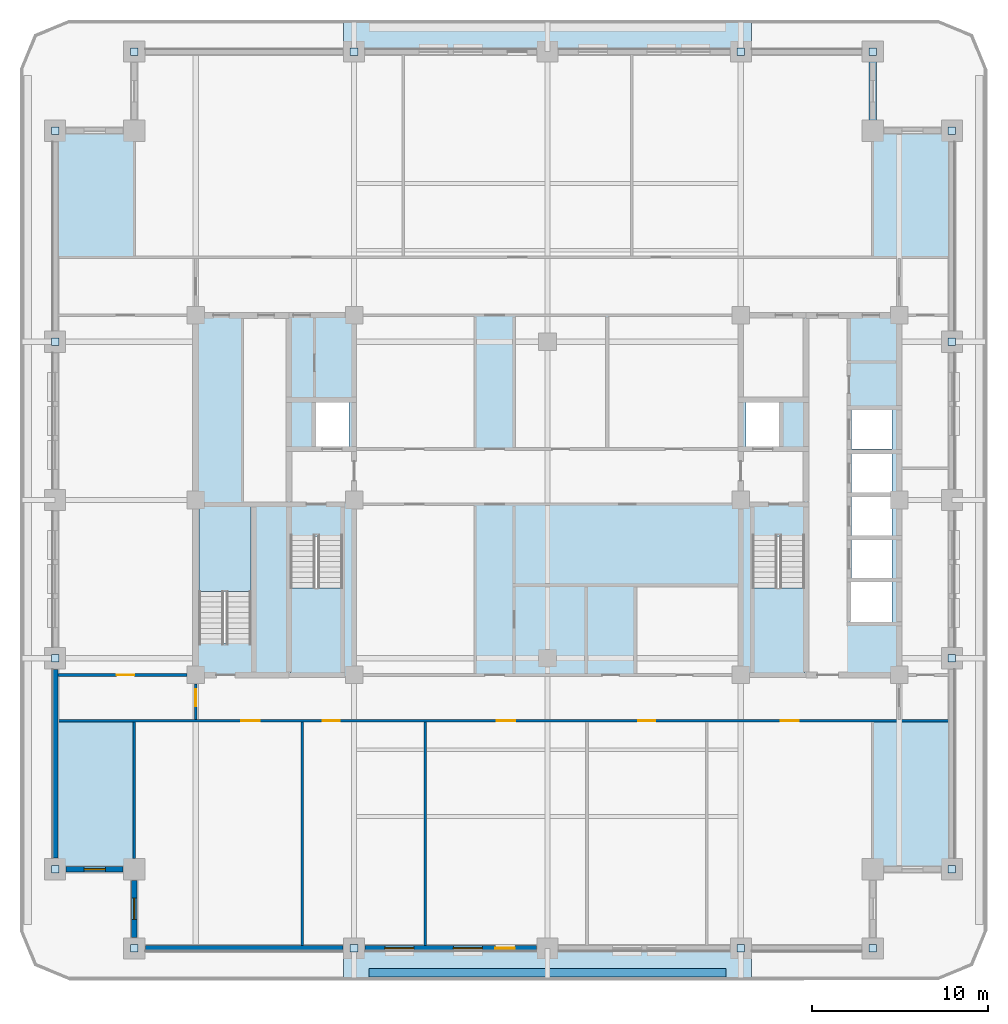
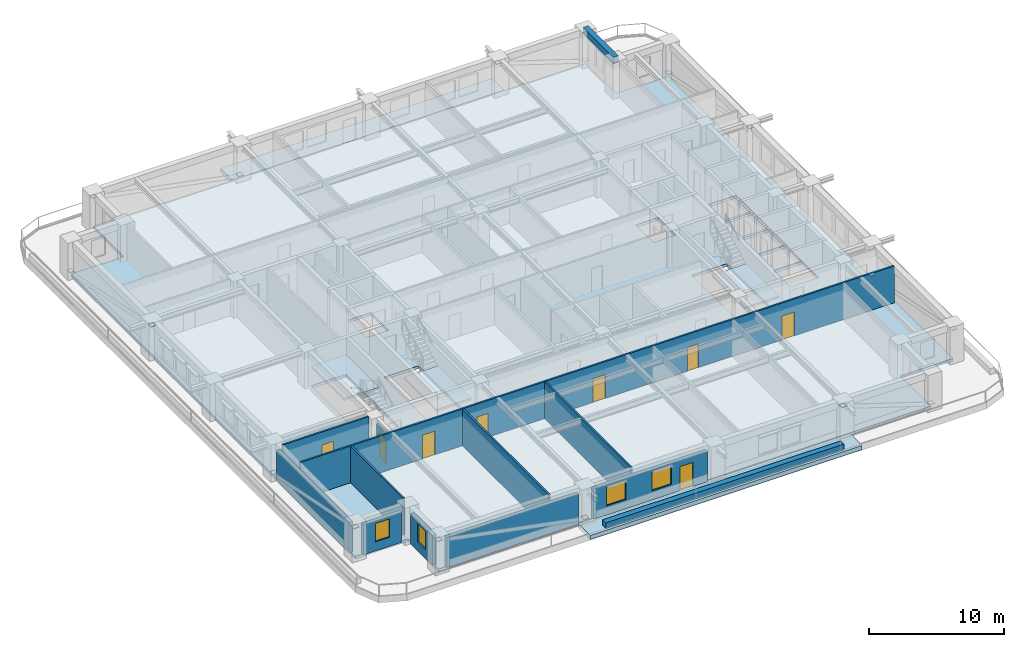
# One storey, part 2 of 16: 16 plates, 12 walls, 8 doors, 6 slabs, 4 windows, 1 beam, 12 openings, 3 elements without a shape of their own.
"""IFC4 building model written with IfcOpenShell, lengths in metres."""

import ifcopenshell
import ifcopenshell.guid

model = None  # the IFC model being written
_history = None  # IfcOwnerHistory: only IFC2X3 demands one
_inside = {}  # id of a spatial element -> (the spatial element, [elements in it])
_under = {}  # id of a project, library or spatial element -> (it, [spatial elements below it])
_declared = {}  # id of a project -> (the project, [libraries it declares])
_typed = {}  # id of a type object -> (the type object, [elements of that type])
_made_of = {}  # id of a material, layer set ... -> (it, [elements and type objects made of it])


def new_model(schema):
    """Start an empty IFC model of exactly this schema.

    Asked for "IFC4X3", IfcOpenShell would pick the latest addendum, in which some entities
    have other attributes; the version numbers below select the first issue.
    IFC2X3 requires an IfcOwnerHistory on every rooted entity: one is made here for all.
    """
    global model, _history
    if schema == "IFC4X3":
        model = ifcopenshell.file(schema_version=(4, 3, 0, 0))
    else:
        model = ifcopenshell.file(schema=schema)
    _inside.clear()
    _under.clear()
    _declared.clear()
    _typed.clear()
    _made_of.clear()
    _history = None
    if model.schema == "IFC2X3":
        org = make("IfcOrganization", Name="unknown")
        user = make(
            "IfcPersonAndOrganization",
            ThePerson=make("IfcPerson", FamilyName="unknown"),
            TheOrganization=org,
        )
        app = make(
            "IfcApplication",
            ApplicationDeveloper=org,
            Version="unknown",
            ApplicationFullName="unknown",
            ApplicationIdentifier="unknown",
        )
        _history = make(
            "IfcOwnerHistory",
            OwningUser=user,
            OwningApplication=app,
            ChangeAction="ADDED",
            CreationDate=0,
        )
    return model


def make(cls, **values):
    """One entity of the class cls with the attributes given. An attribute that is None is left unset."""
    return model.create_entity(
        cls, **{name: value for name, value in values.items() if value is not None}
    )


def rooted(cls, **values):
    """An entity with a GlobalId (a new one), such as an element, a storey or a relation."""
    return make(cls, GlobalId=ifcopenshell.guid.new(), OwnerHistory=_history, **values)


def si_unit(unit_type, name, prefix=None):
    """IfcSIUnit, for example si_unit("LENGTHUNIT", "METRE", prefix="MILLI")."""
    return make("IfcSIUnit", UnitType=unit_type, Prefix=prefix, Name=name)


def assignment(units):
    """IfcUnitAssignment: the units of a project."""
    return None if units is None else make("IfcUnitAssignment", Units=units)


def point(xyz):
    """IfcCartesianPoint."""
    return None if xyz is None else make("IfcCartesianPoint", Coordinates=xyz)


def direction(xyz):
    """IfcDirection."""
    return None if xyz is None else make("IfcDirection", DirectionRatios=xyz)


def frame(location, z_axis=None, x_axis=None):
    """IfcAxis2Placement3D, a coordinate frame: its origin and axes. An axis left out is left unset."""
    return make(
        "IfcAxis2Placement3D",
        Location=point(location),
        Axis=direction(z_axis),
        RefDirection=direction(x_axis),
    )


def frame_2d(location, x_axis=None):
    """IfcAxis2Placement2D, a coordinate frame in the plane: its origin and x axis."""
    return make(
        "IfcAxis2Placement2D", Location=point(location), RefDirection=direction(x_axis)
    )


def origin():
    """The frame at (0, 0, 0) with its axes left unset."""
    return frame((0.0, 0.0, 0.0))


def origin_2d():
    """The frame at (0, 0) in the plane with its x axis left unset."""
    return frame_2d((0.0, 0.0))


def place(relative_to, where):
    """IfcLocalPlacement: puts the frame where relative to a parent placement (None: the world)."""
    return make(
        "IfcLocalPlacement", PlacementRelTo=relative_to, RelativePlacement=where
    )


def context(
    kind, dimensions, precision=None, world=None, true_north=None, identifier=None
):
    """IfcGeometricRepresentationContext, for example the 3D "Model" context."""
    return make(
        "IfcGeometricRepresentationContext",
        ContextIdentifier=identifier,
        ContextType=kind,
        CoordinateSpaceDimension=dimensions,
        Precision=precision,
        WorldCoordinateSystem=world,
        TrueNorth=true_north,
    )


def subcontext(parent, identifier, kind, view, scale=None):
    """IfcGeometricRepresentationSubContext, for example "Body" below "Model"."""
    return make(
        "IfcGeometricRepresentationSubContext",
        ContextIdentifier=identifier,
        ContextType=kind,
        ParentContext=parent,
        TargetScale=scale,
        TargetView=view,
    )


def project(units=None, contexts=None):
    """IfcProject with its units and contexts."""
    return rooted(
        "IfcProject",
        Name="project",
        RepresentationContexts=contexts,
        UnitsInContext=assignment(units),
    )


def spatial(cls, under=None, at=None, **own):
    """A site, building, storey or space (cls), placed at a placement, below another one or the project."""
    s = rooted(cls, ObjectPlacement=at, **own)
    if under is not None:
        _under.setdefault(under.id(), (under, []))[1].append(s)
    return s


def polyline(points):
    """IfcPolyline through the points."""
    return make("IfcPolyline", Points=[point(p) for p in points])


def profile(cls, at=None, kind="AREA", **sizes):
    """A parametric profile (cls). Its sizes go by their IFC names, for example OverallWidth=200.0."""
    return make(cls, ProfileType=kind, Position=at, **sizes)


def rectangle(**sizes):
    """IfcRectangleProfileDef."""
    return profile("IfcRectangleProfileDef", **sizes)


def outline(outer, holes=None, kind="AREA"):
    """IfcArbitraryClosedProfileDef: a profile drawn as a closed curve; with holes, ...WithVoids."""
    if holes is None:
        return make("IfcArbitraryClosedProfileDef", ProfileType=kind, OuterCurve=outer)
    return make(
        "IfcArbitraryProfileDefWithVoids",
        ProfileType=kind,
        OuterCurve=outer,
        InnerCurves=holes,
    )


def extrude(swept, where, along, depth):
    """IfcExtrudedAreaSolid: the profile swept, set in the frame where, extruded along a direction by depth."""
    return make(
        "IfcExtrudedAreaSolid",
        SweptArea=swept,
        Position=where,
        ExtrudedDirection=direction(along),
        Depth=depth,
    )


def shape(context_of_items, identifier, shape_type, items):
    """IfcShapeRepresentation: the items that make up one representation, for example the "Body"."""
    return make(
        "IfcShapeRepresentation",
        ContextOfItems=context_of_items,
        RepresentationIdentifier=identifier,
        RepresentationType=shape_type,
        Items=items,
    )


def material(Name=None, Category=None):
    """IfcMaterial."""
    return make("IfcMaterial", Name=Name, Category=Category)


def layer(
    of_material, thickness, ventilated=None, Name=None, Category=None, Priority=None
):
    """IfcMaterialLayer: one layer of a wall or slab, of a material (None: an air gap)."""
    return make(
        "IfcMaterialLayer",
        Material=of_material,
        LayerThickness=thickness,
        IsVentilated=ventilated,
        Name=Name,
        Category=Category,
        Priority=Priority,
    )


def layer_set(layers, Name=None):
    """IfcMaterialLayerSet."""
    return make("IfcMaterialLayerSet", MaterialLayers=layers, LayerSetName=Name)


def material_profile(
    of_material, cross_section, Name=None, Category=None, Priority=None
):
    """IfcMaterialProfile: a cross section and its material."""
    return make(
        "IfcMaterialProfile",
        Name=Name,
        Material=of_material,
        Profile=cross_section,
        Priority=Priority,
        Category=Category,
    )


def profile_set(profiles, Name=None, composite=None):
    """IfcMaterialProfileSet."""
    return make(
        "IfcMaterialProfileSet",
        Name=Name,
        MaterialProfiles=profiles,
        CompositeProfile=composite,
    )


def made_of(thing, what):
    """Note that an element or type object is made of a material, layer set ...; save() writes the relation."""
    if what is not None:
        _made_of.setdefault(what.id(), (what, []))[1].append(thing)
    return thing


def type_object(cls, material=None, **own):
    """A type object (cls), such as IfcWallType, which elements share."""
    return made_of(rooted(cls, **own), material)


def element(
    cls,
    number,
    at=None,
    inside=None,
    cuts=None,
    type_object=None,
    material=None,
    context=None,
    identifier="Body",
    shape_type=None,
    held_by="IfcProductDefinitionShape",
    body=None,
    shapes=None,
    **own,
):
    """One element of the class cls, such as IfcWall. Its Tag is "e" and its number.

    at: its placement. inside: the storey or other place that contains it. cuts: it is an
    opening in that element (IfcRelVoidsElement). A single representation is given by context,
    identifier, shape_type and body (its items); several are given by shapes. held_by: the class
    of the entity that holds the representations. save() writes the other relations.
    """
    e = rooted(cls, Tag="e%d" % number, ObjectPlacement=at, **own)
    if body is not None:
        shapes = [shape(context, identifier, shape_type, body)]
    if shapes is not None:
        e.Representation = make(held_by, Representations=shapes)
    if inside is not None:
        _inside.setdefault(inside.id(), (inside, []))[1].append(e)
    if cuts is not None:
        rooted(
            "IfcRelVoidsElement", RelatingBuildingElement=cuts, RelatedOpeningElement=e
        )
    if type_object is not None:
        _typed.setdefault(type_object.id(), (type_object, []))[1].append(e)
    return made_of(e, material)


def fill(opening, filler):
    """IfcRelFillsElement: the door or window that sits in an opening."""
    return rooted(
        "IfcRelFillsElement",
        RelatingOpeningElement=opening,
        RelatedBuildingElement=filler,
    )


def aggregate(whole, parts):
    """IfcRelAggregates: a whole, such as a stair, and the parts it consists of."""
    return rooted("IfcRelAggregates", RelatingObject=whole, RelatedObjects=parts)


def save(model, path):
    """Write the relations noted so far, then the file.

    IfcRelAggregates (storeys below a building ...), IfcRelContainedInSpatialStructure (elements
    in a storey), IfcRelDefinesByType, IfcRelAssociatesMaterial and IfcRelDeclares: one each for
    every whole, place, type object, material and project.
    """
    for whole, parts in _under.values():
        aggregate(whole, parts)
    for where, things in _inside.values():
        rooted(
            "IfcRelContainedInSpatialStructure",
            RelatedElements=things,
            RelatingStructure=where,
        )
    for kind, things in _typed.values():
        rooted("IfcRelDefinesByType", RelatedObjects=things, RelatingType=kind)
    for what, things in _made_of.values():
        rooted("IfcRelAssociatesMaterial", RelatedObjects=things, RelatingMaterial=what)
    for by, libraries in _declared.values():
        rooted("IfcRelDeclares", RelatingContext=by, RelatedDefinitions=libraries)
    model.write(path)


model = new_model("IFC4")

# Units and contexts
model_context = context("Model", 3, precision=1e-05, world=origin(), true_north=direction((0.0, 1.0)))
body_context = subcontext(model_context, "Body", "Model", "MODEL_VIEW")
ifc_project = project(units=[si_unit("LENGTHUNIT", "METRE"), si_unit("AREAUNIT", "SQUARE_METRE"), si_unit("VOLUMEUNIT", "CUBIC_METRE"), si_unit("PLANEANGLEUNIT", "RADIAN"), si_unit("MASSUNIT", "GRAM", prefix="KILO")], contexts=[model_context])

# Site, building, storey
site_placement = place(None, origin())
site = spatial("IfcSite", under=ifc_project, at=site_placement, CompositionType="ELEMENT")
building_placement = place(site_placement, origin())
building = spatial("IfcBuilding", under=site, at=building_placement, Name="Zulmaris Gate Convention Tower", CompositionType="ELEMENT")
storey_placement = place(building_placement, frame((0.0, 0.0, 124.919921875)))
storey = spatial("IfcBuildingStorey", under=building, at=storey_placement, Name="L31", CompositionType="ELEMENT", Elevation=124.919921875)

# Beam
ifc_material_1 = material(Name="Precast concrete C50/60", Category="concrete")
ifc_material_profile = material_profile(ifc_material_1, rectangle(XDim=0.449951171875, YDim=0.60009765625, at=origin_2d()), Name="RC SPANDREL 450x600")
ifc_profile_set = profile_set([ifc_material_profile], Name="Precast concrete C50/60")
beam_type = type_object("IfcBeamType", Name="BM-SP450x600", PredefinedType="SPANDREL", material=ifc_profile_set)
beam_placement = place(storey_placement, frame((18.5, 21.0, 3.019775390625), z_axis=(0.0, 1.0, 0.0), x_axis=(-1.0, 0.0, 0.0)))
element("IfcBeam", 1, at=beam_placement, inside=storey, type_object=beam_type, Name="L31 Spandrel SP-L31-12", PredefinedType="SPANDREL", context=body_context, shape_type="SweptSolid", body=[
    extrude(rectangle(XDim=0.449951171875, YDim=0.60009765625, at=origin_2d()), origin(), (0.0, 0.0, 1.0), 4.5),
])

# Plates
ifc_material_2 = material(Name="Steel S460", Category="steel")
ifc_layer_1 = layer(ifc_material_2, 0.02490234375, Name="Steel S460")
ifc_layer_set_1 = layer_set([ifc_layer_1], Name="Steel S460")
plate_type = type_object("IfcPlateType", Name="NP-CAP-440", PredefinedType="USERDEFINED", material=ifc_layer_set_1)
for number, where, z_axis, x_axis, name in (
    (2, (-28.0, -9.0, 0.28759765625), (0.0, 0.0, 1.0), (1.0, 0.0, 0.0), "L31 Steel Node Plate PBR-L31-SW-W-CAP"),
    (3, (-28.0, -21.0, 2.687255859375), (0.0, 0.0, 1.0), (1.0, 0.0, 0.0), "L31 Steel Node Plate PBR-L31-SW-W-CAPB"),
    (4, (-28.0, 21.0, 0.28759765625), (0.0, 0.0, 1.0), (1.0, 0.0, 0.0), "L31 Steel Node Plate PBR-L31-NW-W-CAP"),
    (5, (-28.0, 9.0, 2.687255859375), (0.0, 0.0, 1.0), (1.0, 0.0, 0.0), "L31 Steel Node Plate PBR-L31-NW-W-CAPB"),
    (6, (23.0, -9.0, 0.28759765625), (0.0, 0.0, 1.0), (1.0, 0.0, 0.0), "L31 Steel Node Plate PBR-L31-SE-E-CAP"),
    (7, (23.0, -21.0, 2.687255859375), (0.0, 0.0, 1.0), (1.0, 0.0, 0.0), "L31 Steel Node Plate PBR-L31-SE-E-CAPB"),
    (8, (23.0, 21.0, 0.28759765625), (0.0, 0.0, 1.0), (1.0, 0.0, 0.0), "L31 Steel Node Plate PBR-L31-NE-E-CAP"),
    (9, (23.0, 9.0, 2.687255859375), (0.0, 0.0, 1.0), (1.0, 0.0, 0.0), "L31 Steel Node Plate PBR-L31-NE-E-CAPB"),
    (10, (-11.0, -25.5, 0.28759765625), (0.0, 0.0, 1.0), (1.0, 0.0, 0.0), "L31 Steel Node Plate PBR-L31-SW-S-CAP"),
    (11, (-23.5, -25.5, 2.687255859375), (0.0, 0.0, 1.0), (1.0, 0.0, 0.0), "L31 Steel Node Plate PBR-L31-SW-S-CAPB"),
    (12, (18.5, -25.5, 0.28759765625), (0.0, 0.0, 1.0), (1.0, 0.0, 0.0), "L31 Steel Node Plate PBR-L31-SE-S-CAP"),
    (13, (11.0, -25.5, 2.687255859375), (0.0, 0.0, 1.0), (1.0, 0.0, 0.0), "L31 Steel Node Plate PBR-L31-SE-S-CAPB"),
    (14, (-11.0, 25.5, 0.28759765625), (0.0, 0.0, 1.0), (1.0, 0.0, 0.0), "L31 Steel Node Plate PBR-L31-NW-N-CAP"),
    (15, (-23.5, 25.5, 2.687255859375), (0.0, 0.0, 1.0), (1.0, 0.0, 0.0), "L31 Steel Node Plate PBR-L31-NW-N-CAPB"),
    (16, (18.5, 25.5, 0.28759765625), (0.0, 0.0, 1.0), (1.0, 0.0, 0.0), "L31 Steel Node Plate PBR-L31-NE-N-CAP"),
    (17, (11.0, 25.5, 2.687255859375), (0.0, 0.0, 1.0), (1.0, 0.0, 0.0), "L31 Steel Node Plate PBR-L31-NE-N-CAPB"),
):
    element("IfcPlate", number, at=place(storey_placement, frame(where, z_axis=z_axis, x_axis=x_axis)), inside=storey, type_object=plate_type, Name=name, ObjectType="FLANGE PLATE", PredefinedType="USERDEFINED", context=body_context, shape_type="SweptSolid", body=[
        extrude(rectangle(XDim=0.43994140625, YDim=0.43994140625, at=origin_2d()), origin(), (0.0, 0.0, 1.0), 0.02490234375),
    ])

# Slabs
ifc_layer_2 = layer(ifc_material_1, 0.239990234375, Name="Precast concrete C50/60")
ifc_layer_set_2 = layer_set([ifc_layer_2], Name="Precast concrete C50/60")
slab_type_1 = type_object("IfcSlabType", Name="SL-BAL-240", PredefinedType="FLOOR", material=ifc_layer_set_2)
slab_1_placement = place(storey_placement, frame((0.0, 0.0, -0.425048828125)))
element("IfcSlab", 18, at=slab_1_placement, inside=storey, type_object=slab_type_1, Name="L31 South Tree-Balcony Planter Slab", PredefinedType="FLOOR", context=body_context, shape_type="SweptSolid", body=[
    extrude(outline(polyline([(-11.597900390625, -27.300048828125), (-11.597900390625, -25.5), (11.597900390625, -25.5), (11.597900390625, -27.300048828125), (-11.597900390625, -27.300048828125)])), origin(), (0.0, 0.0, 1.0), 0.385009765625),
])
slab_2_placement = place(storey_placement, frame((0.0, 0.0, -0.425048828125)))
element("IfcSlab", 19, at=slab_2_placement, inside=storey, type_object=slab_type_1, Name="L31 North Tree-Balcony Planter Slab", PredefinedType="FLOOR", context=body_context, shape_type="SweptSolid", body=[
    extrude(outline(polyline([(11.597900390625, 27.300048828125), (11.597900390625, 25.5), (-11.597900390625, 25.5), (-11.597900390625, 27.300048828125), (11.597900390625, 27.300048828125)])), origin(), (0.0, 0.0, 1.0), 0.385009765625),
])
ifc_material_3 = material(Name="Concrete C50/60", Category="concrete")
ifc_layer_3 = layer(ifc_material_3, 0.25, Name="Concrete C50/60")
ifc_layer_set_3 = layer_set([ifc_layer_3], Name="Concrete C50/60")
slab_type_2 = type_object("IfcSlabType", Name="SL-FLR-250", PredefinedType="FLOOR", material=ifc_layer_set_3)
slab_3_placement = place(storey_placement, frame((0.0, 0.0, -0.25)))
element("IfcSlab", 20, at=slab_3_placement, inside=storey, type_object=slab_type_2, Name="L31 Shifted Notched-Square Structural Floor Slab", PredefinedType="FLOOR", context=body_context, shape_type="SweptSolid", body=[
    extrude(outline(polyline([(-23.5, -25.5), (18.5, -25.5), (18.5, -21.0), (23.0, -21.0), (23.0, 21.0), (18.5, 21.0), (18.5, 25.5), (-23.5, 25.5), (-23.5, 21.0), (-28.0, 21.0), (-28.0, -21.0), (-23.5, -21.0), (-23.5, -25.5)]), holes=[polyline([(-14.6201171875, -2.080078125), (-14.6201171875, -9.85009765625), (-11.659912109375, -9.85009765625), (-11.659912109375, -2.080078125), (-14.6201171875, -2.080078125)]), polyline([(11.659912109375, -2.080078125), (11.659912109375, -9.85009765625), (14.6201171875, -9.85009765625), (14.6201171875, -2.080078125), (11.659912109375, -2.080078125)]), polyline([(-16.860107421875, -8.1201171875), (-16.860107421875, -0.35009765625), (-19.820068359375, -0.35009765625), (-19.820068359375, -8.1201171875), (-16.860107421875, -8.1201171875)]), polyline([(-13.199951171875, 3.0), (-11.300048828125, 3.0), (-11.300048828125, 5.60009765625), (-13.199951171875, 5.60009765625), (-13.199951171875, 3.0)]), polyline([(11.300048828125, 3.0), (13.199951171875, 3.0), (13.199951171875, 5.60009765625), (11.300048828125, 5.60009765625), (11.300048828125, 3.0)]), polyline([(17.199951171875, -7.0), (19.60009765625, -7.0), (19.60009765625, -4.60009765625), (17.199951171875, -4.60009765625), (17.199951171875, -7.0)]), polyline([(17.300048828125, -4.5), (19.60009765625, -4.5), (19.60009765625, -2.199951171875), (17.300048828125, -2.199951171875), (17.300048828125, -4.5)]), polyline([(17.300048828125, -2.10009765625), (19.60009765625, -2.10009765625), (19.60009765625, 0.199951171875), (17.300048828125, 0.199951171875), (17.300048828125, -2.10009765625)]), polyline([(17.300048828125, 0.39990234375), (19.60009765625, 0.39990234375), (19.60009765625, 2.699951171875), (17.300048828125, 2.699951171875), (17.300048828125, 0.39990234375)]), polyline([(17.300048828125, 2.89990234375), (19.60009765625, 2.89990234375), (19.60009765625, 5.199951171875), (17.300048828125, 5.199951171875), (17.300048828125, 2.89990234375)])]), origin(), (0.0, 0.0, 1.0), 0.25),
])

# Stair, slab
ifc_material_4 = material(Name="Concrete C45/55", Category="concrete")
stair_type = type_object("IfcStairType", Name="ST-CORE-DOGLEG", PredefinedType="HALF_TURN_STAIR", material=ifc_material_4)
stair_1_placement = place(storey_placement, origin())
stair_1 = element("IfcStair", 21, at=stair_1_placement, inside=storey, type_object=stair_type, Name="L31 Core Exit Stair ST-1", PredefinedType="HALF_TURN_STAIR")
ifc_layer_4 = layer(ifc_material_4, 0.199951171875, Name="Concrete C45/55")
ifc_layer_set_4 = layer_set([ifc_layer_4], Name="Concrete C45/55")
slab_type_3 = type_object("IfcSlabType", Name="SL-LND-200", PredefinedType="LANDING", material=ifc_layer_set_4)
slab_4_placement = place(storey_placement, frame((0.0, 0.0, 1.5849609375)))
slab_4 = element("IfcSlab", 22, at=slab_4_placement, type_object=slab_type_3, Name="ST-1 landing 1", PredefinedType="LANDING", context=body_context, shape_type="SweptSolid", body=[
    extrude(outline(polyline([(-14.6201171875, -5.0), (-14.6201171875, -9.85009765625), (-11.659912109375, -9.85009765625), (-11.659912109375, -5.0), (-14.6201171875, -5.0)])), origin(), (0.0, 0.0, 1.0), 0.199951171875),
])
aggregate(stair_1, [slab_4])

stair_2_placement = place(storey_placement, origin())
stair_2 = element("IfcStair", 23, at=stair_2_placement, inside=storey, type_object=stair_type, Name="L31 Core Exit Stair ST-2", PredefinedType="HALF_TURN_STAIR")
slab_5_placement = place(storey_placement, frame((0.0, 0.0, 1.5849609375)))
slab_5 = element("IfcSlab", 24, at=slab_5_placement, type_object=slab_type_3, Name="ST-2 landing 1", PredefinedType="LANDING", context=body_context, shape_type="SweptSolid", body=[
    extrude(outline(polyline([(11.659912109375, -5.0), (11.659912109375, -9.85009765625), (14.6201171875, -9.85009765625), (14.6201171875, -5.0), (11.659912109375, -5.0)])), origin(), (0.0, 0.0, 1.0), 0.199951171875),
])
aggregate(stair_2, [slab_5])

stair_3_placement = place(storey_placement, origin())
stair_3 = element("IfcStair", 25, at=stair_3_placement, inside=storey, type_object=stair_type, Name="L31 Core Exit Stair ST-3", PredefinedType="HALF_TURN_STAIR")
slab_6_placement = place(storey_placement, frame((0.0, 0.0, 1.5849609375)))
slab_6 = element("IfcSlab", 26, at=slab_6_placement, type_object=slab_type_3, Name="ST-3 landing 1", PredefinedType="LANDING", context=body_context, shape_type="SweptSolid", body=[
    extrude(outline(polyline([(-16.860107421875, -5.199951171875), (-16.860107421875, -0.35009765625), (-19.820068359375, -0.35009765625), (-19.820068359375, -5.199951171875), (-16.860107421875, -5.199951171875)])), origin(), (0.0, 0.0, 1.0), 0.199951171875),
])
aggregate(stair_3, [slab_6])

# Wall, openings, doors
ifc_material_5 = material(Name="Gypsum Metal Stud Partition")
ifc_layer_5 = layer(ifc_material_5, 0.14990234375, Name="Gypsum Metal Stud Partition")
ifc_layer_set_5 = layer_set([ifc_layer_5], Name="Gypsum Metal Stud Partition")
wall_type_1 = type_object("IfcWallType", Name="PART-150", PredefinedType="PARTITIONING", material=ifc_layer_set_5)
wall_1_placement = place(storey_placement, frame((-27.8349609375, -12.550048828125, 0.0), z_axis=(0.0, 0.0, 1.0), x_axis=(1.0, 0.0, 0.0)))
wall_1 = element("IfcWall", 27, at=wall_1_placement, inside=storey, type_object=wall_type_1, Name="WL-L31-021", PredefinedType="PARTITIONING", context=body_context, shape_type="SweptSolid", body=[
    extrude(rectangle(XDim=50.669921875, YDim=0.14990234375, at=frame_2d((25.3349609375, 0.0))), origin(), (0.0, 0.0, 1.0), 3.31982421875),
])
opening_1_placement = place(wall_1_placement, frame((10.429931640625, 0.0, 0.0)))
opening_1 = element("IfcOpeningElement", 28, at=opening_1_placement, cuts=wall_1, Name="Opening D-09", PredefinedType="OPENING", context=body_context, shape_type="SweptSolid", body=[
    extrude(rectangle(XDim=1.050048828125, YDim=2.14990234375, at=frame_2d((0.52490234375, 1.074951171875))), frame((0.0, 0.0849609375, 0.0), z_axis=(0.0, -1.0, 0.0), x_axis=(1.0, 0.0, 0.0)), (0.0, 0.0, 1.0), 0.169921875),
])
opening_2_placement = place(wall_1_placement, frame((15.06005859375, 0.0, 0.0)))
opening_2 = element("IfcOpeningElement", 29, at=opening_2_placement, cuts=wall_1, Name="Opening D-11", PredefinedType="OPENING", context=body_context, shape_type="SweptSolid", body=[
    extrude(rectangle(XDim=0.949951171875, YDim=2.14990234375, at=frame_2d((0.47509765625, 1.074951171875))), frame((0.0, 0.0849609375, 0.0), z_axis=(0.0, -1.0, 0.0), x_axis=(1.0, 0.0, 0.0)), (0.0, 0.0, 1.0), 0.169921875),
])
opening_3_placement = place(wall_1_placement, frame((24.9599609375, 0.0, 0.0)))
opening_3 = element("IfcOpeningElement", 30, at=opening_3_placement, cuts=wall_1, Name="Opening D-09", PredefinedType="OPENING", context=body_context, shape_type="SweptSolid", body=[
    extrude(rectangle(XDim=1.050048828125, YDim=2.14990234375, at=frame_2d((0.52490234375, 1.074951171875))), frame((0.0, 0.0849609375, 0.0), z_axis=(0.0, -1.0, 0.0), x_axis=(1.0, 0.0, 0.0)), (0.0, 0.0, 1.0), 0.169921875),
])
opening_4_placement = place(wall_1_placement, frame((33.010009765625, 0.0, 0.0)))
opening_4 = element("IfcOpeningElement", 31, at=opening_4_placement, cuts=wall_1, Name="Opening D-11", PredefinedType="OPENING", context=body_context, shape_type="SweptSolid", body=[
    extrude(rectangle(XDim=0.949951171875, YDim=2.14990234375, at=frame_2d((0.47509765625, 1.074951171875))), frame((0.0, 0.0849609375, 0.0), z_axis=(0.0, -1.0, 0.0), x_axis=(1.0, 0.0, 0.0)), (0.0, 0.0, 1.0), 0.169921875),
])
opening_5_placement = place(wall_1_placement, frame((41.090087890625, 0.0, 0.0)))
opening_5 = element("IfcOpeningElement", 32, at=opening_5_placement, cuts=wall_1, Name="Opening D-09", PredefinedType="OPENING", context=body_context, shape_type="SweptSolid", body=[
    extrude(rectangle(XDim=1.050048828125, YDim=2.14990234375, at=frame_2d((0.52490234375, 1.074951171875))), frame((0.0, 0.0849609375, 0.0), z_axis=(0.0, -1.0, 0.0), x_axis=(1.0, 0.0, 0.0)), (0.0, 0.0, 1.0), 0.169921875),
])
ifc_material_6 = material(Name="Fire-Rated Steel", Category="steel")
door_type_1 = type_object("IfcDoorType", Name="DR-1050-FD", OperationType="NOTDEFINED", PredefinedType="DOOR", material=ifc_material_6)
door_1_placement = place(opening_1_placement, origin())
door_1 = element("IfcDoor", 33, at=door_1_placement, inside=storey, type_object=door_type_1, Name="L31 Research Reading Room Door 28", OperationType="SINGLE_SWING_RIGHT", OverallHeight=2.14990234375, OverallWidth=1.050048828125, PredefinedType="DOOR", context=body_context, shape_type="SweptSolid", body=[
    extrude(rectangle(XDim=1.050048828125, YDim=2.14990234375, at=frame_2d((0.52490234375, 1.074951171875))), frame((0.0, 0.02490234375, 0.0), z_axis=(0.0, -1.0, 0.0), x_axis=(1.0, 0.0, 0.0)), (0.0, 0.0, 1.0), 0.050048828125),
])
fill(opening_1, door_1)
door_2_placement = place(opening_3_placement, origin())
door_2 = element("IfcDoor", 34, at=door_2_placement, inside=storey, type_object=door_type_1, Name="L31 Legal Library Room Door 30", OperationType="SINGLE_SWING_RIGHT", OverallHeight=2.14990234375, OverallWidth=1.050048828125, PredefinedType="DOOR", context=body_context, shape_type="SweptSolid", body=[
    extrude(rectangle(XDim=1.050048828125, YDim=2.14990234375, at=frame_2d((0.52490234375, 1.074951171875))), frame((0.0, 0.02490234375, 0.0), z_axis=(0.0, -1.0, 0.0), x_axis=(1.0, 0.0, 0.0)), (0.0, 0.0, 1.0), 0.050048828125),
])
fill(opening_3, door_2)
door_3_placement = place(opening_5_placement, origin())
door_3 = element("IfcDoor", 35, at=door_3_placement, inside=storey, type_object=door_type_1, Name="L31 Research Reading Room Door 32", OperationType="SINGLE_SWING_RIGHT", OverallHeight=2.14990234375, OverallWidth=1.050048828125, PredefinedType="DOOR", context=body_context, shape_type="SweptSolid", body=[
    extrude(rectangle(XDim=1.050048828125, YDim=2.14990234375, at=frame_2d((0.52490234375, 1.074951171875))), frame((0.0, 0.02490234375, 0.0), z_axis=(0.0, -1.0, 0.0), x_axis=(1.0, 0.0, 0.0)), (0.0, 0.0, 1.0), 0.050048828125),
])
fill(opening_5, door_3)
ifc_material_7 = material(Name="Fire-Rated Timber", Category="wood")
door_type_2 = type_object("IfcDoorType", Name="DR-950-FD", OperationType="NOTDEFINED", PredefinedType="DOOR", material=ifc_material_7)
door_4_placement = place(opening_2_placement, origin())
door_4 = element("IfcDoor", 36, at=door_4_placement, inside=storey, type_object=door_type_2, Name="L31 Quiet Focus Study Door 29", OperationType="SINGLE_SWING_LEFT", OverallHeight=2.14990234375, OverallWidth=0.949951171875, PredefinedType="DOOR", context=body_context, shape_type="SweptSolid", body=[
    extrude(rectangle(XDim=0.949951171875, YDim=2.14990234375, at=frame_2d((0.47509765625, 1.074951171875))), frame((0.0, 0.02490234375, 0.0), z_axis=(0.0, -1.0, 0.0), x_axis=(1.0, 0.0, 0.0)), (0.0, 0.0, 1.0), 0.050048828125),
])
fill(opening_2, door_4)
door_5_placement = place(opening_4_placement, origin())
door_5 = element("IfcDoor", 37, at=door_5_placement, inside=storey, type_object=door_type_2, Name="L31 Editorial Focus Suite Door 31", OperationType="SINGLE_SWING_LEFT", OverallHeight=2.14990234375, OverallWidth=0.949951171875, PredefinedType="DOOR", context=body_context, shape_type="SweptSolid", body=[
    extrude(rectangle(XDim=0.949951171875, YDim=2.14990234375, at=frame_2d((0.47509765625, 1.074951171875))), frame((0.0, 0.02490234375, 0.0), z_axis=(0.0, -1.0, 0.0), x_axis=(1.0, 0.0, 0.0)), (0.0, 0.0, 1.0), 0.050048828125),
])
fill(opening_4, door_5)

# Wall, opening, door
wall_2_placement = place(storey_placement, frame((-27.8349609375, -9.949951171875, 0.0), z_axis=(0.0, 0.0, 1.0), x_axis=(1.0, 0.0, 0.0)))
wall_2 = element("IfcWall", 38, at=wall_2_placement, inside=storey, type_object=wall_type_1, Name="WL-L31-022", PredefinedType="PARTITIONING", context=body_context, shape_type="SweptSolid", body=[
    extrude(rectangle(XDim=7.328857421875, YDim=0.14990234375, at=frame_2d((3.66455078125, 0.0))), origin(), (0.0, 0.0, 1.0), 3.31982421875),
])
opening_6_placement = place(wall_2_placement, frame((3.3349609375, 0.0, 0.0)))
opening_6 = element("IfcOpeningElement", 39, at=opening_6_placement, cuts=wall_2, Name="Opening D-10", PredefinedType="OPENING", context=body_context, shape_type="SweptSolid", body=[
    extrude(rectangle(XDim=1.0, YDim=2.14990234375, at=frame_2d((0.5, 1.074951171875))), frame((0.0, 0.0849609375, 0.0), z_axis=(0.0, -1.0, 0.0), x_axis=(1.0, 0.0, 0.0)), (0.0, 0.0, 1.0), 0.169921875),
])
door_type_3 = type_object("IfcDoorType", Name="DR-1000-FD", OperationType="NOTDEFINED", PredefinedType="DOOR", material=ifc_material_7)
door_6_placement = place(opening_6_placement, origin())
door_6 = element("IfcDoor", 40, at=door_6_placement, inside=storey, type_object=door_type_3, Name="L31 West Workplace South Door 44", OperationType="SINGLE_SWING_RIGHT", OverallHeight=2.14990234375, OverallWidth=1.0, PredefinedType="DOOR", context=body_context, shape_type="SweptSolid", body=[
    extrude(rectangle(XDim=1.0, YDim=2.14990234375, at=frame_2d((0.5, 1.074951171875))), frame((0.0, 0.02490234375, 0.0), z_axis=(0.0, -1.0, 0.0), x_axis=(1.0, 0.0, 0.0)), (0.0, 0.0, 1.0), 0.050048828125),
])
fill(opening_6, door_6)

# Wall
wall_3_placement = place(storey_placement, frame((-23.5, -20.39404296875, 0.0), z_axis=(0.0, 0.0, 1.0), x_axis=(0.0, 1.0, 0.0)))
element("IfcWall", 41, at=wall_3_placement, inside=storey, type_object=wall_type_1, Name="WL-L31-069", PredefinedType="PARTITIONING", context=body_context, shape_type="SweptSolid", body=[
    extrude(rectangle(XDim=7.76611328125, YDim=0.14990234375, at=frame_2d((3.883056640625, 0.0))), origin(), (0.0, 0.0, 1.0), 3.31982421875),
])

# Wall, opening, door
wall_4_placement = place(storey_placement, frame((-20.0, -12.471923828125, 0.0), z_axis=(0.0, 0.0, 1.0), x_axis=(0.0, 1.0, 0.0)))
wall_4 = element("IfcWall", 42, at=wall_4_placement, inside=storey, type_object=wall_type_1, Name="WL-L31-071", PredefinedType="PARTITIONING", context=body_context, shape_type="SweptSolid", body=[
    extrude(rectangle(XDim=2.015869140625, YDim=0.14990234375, at=frame_2d((1.0078125, 0.0))), origin(), (0.0, 0.0, 1.0), 2.809814453125),
])
opening_7_placement = place(wall_4_placement, frame((0.7470703125, 0.0, 0.0)))
opening_7 = element("IfcOpeningElement", 43, at=opening_7_placement, cuts=wall_4, Name="Opening D-11", PredefinedType="OPENING", context=body_context, shape_type="SweptSolid", body=[
    extrude(rectangle(XDim=0.949951171875, YDim=2.14990234375, at=frame_2d((0.47509765625, 1.074951171875))), frame((0.0, 0.0849609375, 0.0), z_axis=(0.0, -1.0, 0.0), x_axis=(1.0, 0.0, 0.0)), (0.0, 0.0, 1.0), 0.169921875),
])
door_7_placement = place(opening_7_placement, origin())
door_7 = element("IfcDoor", 44, at=door_7_placement, inside=storey, type_object=door_type_2, Name="L31 SW Spur Door 42", OperationType="SINGLE_SWING_RIGHT", OverallHeight=2.14990234375, OverallWidth=0.949951171875, PredefinedType="DOOR", context=body_context, shape_type="SweptSolid", body=[
    extrude(rectangle(XDim=0.949951171875, YDim=2.14990234375, at=frame_2d((0.47509765625, 1.074951171875))), frame((0.0, 0.02490234375, 0.0), z_axis=(0.0, -1.0, 0.0), x_axis=(1.0, 0.0, 0.0)), (0.0, 0.0, 1.0), 0.050048828125),
])
fill(opening_7, door_7)

# Walls
for number, where, z_axis, x_axis, name in (
    (45, (-13.949951171875, -25.3349609375, 0.0), (0.0, 0.0, 1.0), (0.0, 1.0, 0.0), "WL-L31-074"),
    (46, (-6.949951171875, -25.3349609375, 0.0), (0.0, 0.0, 1.0), (0.0, 1.0, 0.0), "WL-L31-077"),
):
    element("IfcWall", number, at=place(storey_placement, frame(where, z_axis=z_axis, x_axis=x_axis)), inside=storey, type_object=wall_type_1, Name=name, PredefinedType="PARTITIONING", context=body_context, shape_type="SweptSolid", body=[
        extrude(rectangle(XDim=12.70703125, YDim=0.14990234375, at=frame_2d((6.353515625, 0.0))), origin(), (0.0, 0.0, 1.0), 3.31982421875),
    ])
ifc_material_8 = material(Name="Botanical Green Glazed Precast Concrete C40/50", Category="concrete")
ifc_layer_6 = layer(ifc_material_8, 0.419921875, Name="Botanical Green Glazed Precast Concrete C40/50")
ifc_layer_set_6 = layer_set([ifc_layer_6], Name="Botanical Green Glazed Precast Concrete C40/50")
wall_type_2 = type_object("IfcWallType", Name="PLANTER-CURB-200", PredefinedType="PARAPET", material=ifc_layer_set_6)
wall_5_placement = place(storey_placement, frame((-10.14990234375, -26.8798828125, -0.0400390625), z_axis=(0.0, 0.0, 1.0), x_axis=(1.0, 0.0, 0.0)))
element("IfcWall", 47, at=wall_5_placement, inside=storey, type_object=wall_type_2, Name="L31 Full-Length Balcony Tree Planter Trough", PredefinedType="PARAPET", context=body_context, shape_type="SweptSolid", body=[
    extrude(rectangle(XDim=20.2998046875, YDim=0.47998046875, at=frame_2d((10.14990234375, 0.0))), origin(), (0.0, 0.0, 1.0), 0.52001953125),
])

# Wall, opening, window
ifc_material_9 = material(Name="Precast concrete C40/50", Category="concrete")
ifc_layer_7 = layer(ifc_material_9, 0.300048828125, Name="Precast concrete C40/50")
ifc_layer_set_7 = layer_set([ifc_layer_7], Name="Precast concrete C40/50")
wall_type_3 = type_object("IfcWallType", Name="PRECAST-PIER-300", PredefinedType="STANDARD", material=ifc_layer_set_7)
wall_6_placement = place(storey_placement, frame((-27.3701171875, -21.0, 0.0), z_axis=(0.0, 0.0, 1.0), x_axis=(1.0, 0.0, 0.0)))
wall_6 = element("IfcWall", 48, at=wall_6_placement, inside=storey, type_object=wall_type_3, Name="EW-L31-NOTCH-SW1_0", PredefinedType="STANDARD", context=body_context, shape_type="SweptSolid", body=[
    extrude(rectangle(XDim=3.240234375, YDim=0.300048828125, at=frame_2d((1.6201171875, 0.0))), origin(), (0.0, 0.0, 1.0), 2.711669921875),
])
opening_8_placement = place(wall_6_placement, frame((1.02001953125, 0.0, 0.820068359375)))
opening_8 = element("IfcOpeningElement", 49, at=opening_8_placement, cuts=wall_6, Name="Opening W-04", PredefinedType="OPENING", context=body_context, shape_type="SweptSolid", body=[
    extrude(rectangle(XDim=1.199951171875, YDim=1.64990234375, at=frame_2d((0.60009765625, 0.824951171875))), frame((0.0, 0.16015625, 0.0), z_axis=(0.0, -1.0, 0.0), x_axis=(1.0, 0.0, 0.0)), (0.0, 0.0, 1.0), 0.320068359375),
])
ifc_material_10 = material(Name="Low-E Laminated Double Glazing in Aluminium Frame", Category="aluminium")
window_type_1 = type_object("IfcWindowType", Name="WIN-1200x2100", PartitioningType="SINGLE_PANEL", PredefinedType="WINDOW", material=ifc_material_10)
window_1_placement = place(opening_8_placement, origin())
window_1 = element("IfcWindow", 50, at=window_1_placement, inside=storey, type_object=window_type_1, Name="WN-EW-L31-NOTCH-SW1_0", OverallHeight=1.64990234375, OverallWidth=1.199951171875, PartitioningType="SINGLE_PANEL", PredefinedType="WINDOW", context=body_context, shape_type="SweptSolid", body=[
    extrude(rectangle(XDim=1.199951171875, YDim=1.64990234375, at=frame_2d((0.60009765625, 0.824951171875))), frame((0.0, 0.030029296875, 0.0), z_axis=(0.0, -1.0, 0.0), x_axis=(1.0, 0.0, 0.0)), (0.0, 0.0, 1.0), 0.06005859375),
])
fill(opening_8, window_1)

wall_7_placement = place(storey_placement, frame((-23.5, -21.6298828125, 0.0), z_axis=(0.0, 0.0, 1.0), x_axis=(0.0, -1.0, 0.0)))
wall_7 = element("IfcWall", 51, at=wall_7_placement, inside=storey, type_object=wall_type_3, Name="EW-L31-NOTCH-SW2_0", PredefinedType="STANDARD", context=body_context, shape_type="SweptSolid", body=[
    extrude(rectangle(XDim=3.240234375, YDim=0.300048828125, at=frame_2d((1.6201171875, 0.0))), origin(), (0.0, 0.0, 1.0), 2.711669921875),
])
opening_9_placement = place(wall_7_placement, frame((1.02001953125, 0.0, 0.820068359375)))
opening_9 = element("IfcOpeningElement", 52, at=opening_9_placement, cuts=wall_7, Name="Opening W-04", PredefinedType="OPENING", context=body_context, shape_type="SweptSolid", body=[
    extrude(rectangle(XDim=1.199951171875, YDim=1.64990234375, at=frame_2d((0.60009765625, 0.824951171875))), frame((0.0, 0.16015625, 0.0), z_axis=(0.0, -1.0, 0.0), x_axis=(1.0, 0.0, 0.0)), (0.0, 0.0, 1.0), 0.320068359375),
])
window_2_placement = place(opening_9_placement, origin())
window_2 = element("IfcWindow", 53, at=window_2_placement, inside=storey, type_object=window_type_1, Name="WN-EW-L31-NOTCH-SW2_0", OverallHeight=1.64990234375, OverallWidth=1.199951171875, PartitioningType="SINGLE_PANEL", PredefinedType="WINDOW", context=body_context, shape_type="SweptSolid", body=[
    extrude(rectangle(XDim=1.199951171875, YDim=1.64990234375, at=frame_2d((0.60009765625, 0.824951171875))), frame((0.0, 0.030029296875, 0.0), z_axis=(0.0, -1.0, 0.0), x_axis=(1.0, 0.0, 0.0)), (0.0, 0.0, 1.0), 0.06005859375),
])
fill(opening_9, window_2)

# Wall
wall_8_placement = place(storey_placement, frame((-22.8701171875, -25.5, 0.0), z_axis=(0.0, 0.0, 1.0), x_axis=(1.0, 0.0, 0.0)))
element("IfcWall", 54, at=wall_8_placement, inside=storey, type_object=wall_type_3, Name="EW-L31-S-0_0", PredefinedType="STANDARD", context=body_context, shape_type="SweptSolid", body=[
    extrude(rectangle(XDim=11.240234375, YDim=0.300048828125, at=frame_2d((5.6201171875, 0.0))), origin(), (0.0, 0.0, 1.0), 2.711669921875),
])

# Wall, openings, door, windows
wall_9_placement = place(storey_placement, frame((-10.3701171875, -25.5, 0.0), z_axis=(0.0, 0.0, 1.0), x_axis=(1.0, 0.0, 0.0)))
wall_9 = element("IfcWall", 55, at=wall_9_placement, inside=storey, type_object=wall_type_3, Name="EW-L31-S-1_0", PredefinedType="STANDARD", context=body_context, shape_type="SweptSolid", body=[
    extrude(rectangle(XDim=9.740234375, YDim=0.300048828125, at=frame_2d((4.8701171875, 0.0))), origin(), (0.0, 0.0, 1.0), 2.711669921875),
])
opening_10_placement = place(wall_9_placement, frame((7.409912109375, 0.0, 0.0)))
opening_10 = element("IfcOpeningElement", 56, at=opening_10_placement, cuts=wall_9, Name="Opening D-04", PredefinedType="OPENING", context=body_context, shape_type="SweptSolid", body=[
    extrude(rectangle(XDim=1.10009765625, YDim=2.14990234375, at=frame_2d((0.550048828125, 1.074951171875))), frame((0.0, 0.16015625, 0.0), z_axis=(0.0, -1.0, 0.0), x_axis=(1.0, 0.0, 0.0)), (0.0, 0.0, 1.0), 0.320068359375),
])
opening_11_placement = place(wall_9_placement, frame((1.123046875, 0.0, 0.800048828125)))
opening_11 = element("IfcOpeningElement", 57, at=opening_11_placement, cuts=wall_9, Name="Opening W-08", PredefinedType="OPENING", context=body_context, shape_type="SweptSolid", body=[
    extrude(rectangle(XDim=1.64990234375, YDim=1.699951171875, at=frame_2d((0.824951171875, 0.85009765625))), frame((0.0, 0.16015625, 0.0), z_axis=(0.0, -1.0, 0.0), x_axis=(1.0, 0.0, 0.0)), (0.0, 0.0, 1.0), 0.320068359375),
])
opening_12_placement = place(wall_9_placement, frame((5.01904296875, 0.0, 0.800048828125)))
opening_12 = element("IfcOpeningElement", 58, at=opening_12_placement, cuts=wall_9, Name="Opening W-08", PredefinedType="OPENING", context=body_context, shape_type="SweptSolid", body=[
    extrude(rectangle(XDim=1.64990234375, YDim=1.699951171875, at=frame_2d((0.824951171875, 0.85009765625))), frame((0.0, 0.16015625, 0.0), z_axis=(0.0, -1.0, 0.0), x_axis=(1.0, 0.0, 0.0)), (0.0, 0.0, 1.0), 0.320068359375),
])
ifc_material_11 = material(Name="Anodised Aluminium and Laminated Glass", Category="aluminium")
door_type_4 = type_object("IfcDoorType", Name="ED-1100", OperationType="SINGLE_SWING_RIGHT", PredefinedType="DOOR", material=ifc_material_11)
door_8_placement = place(opening_10_placement, origin())
door_8 = element("IfcDoor", 59, at=door_8_placement, inside=storey, type_object=door_type_4, Name="L31 S Planted Terrace Door", OperationType="SINGLE_SWING_RIGHT", OverallHeight=2.14990234375, OverallWidth=1.10009765625, PredefinedType="DOOR", context=body_context, shape_type="SweptSolid", body=[
    extrude(rectangle(XDim=1.10009765625, YDim=2.14990234375, at=frame_2d((0.550048828125, 1.074951171875))), frame((0.0, 0.02490234375, 0.0), z_axis=(0.0, -1.0, 0.0), x_axis=(1.0, 0.0, 0.0)), (0.0, 0.0, 1.0), 0.050048828125),
])
fill(opening_10, door_8)
window_type_2 = type_object("IfcWindowType", Name="WIN-1650x2150", PartitioningType="SINGLE_PANEL", PredefinedType="WINDOW", material=ifc_material_10)
window_3_placement = place(opening_11_placement, origin())
window_3 = element("IfcWindow", 60, at=window_3_placement, inside=storey, type_object=window_type_2, Name="WN-EW-L31-S-1_0-1", OverallHeight=1.699951171875, OverallWidth=1.64990234375, PartitioningType="SINGLE_PANEL", PredefinedType="WINDOW", context=body_context, shape_type="SweptSolid", body=[
    extrude(rectangle(XDim=1.64990234375, YDim=1.699951171875, at=frame_2d((0.824951171875, 0.85009765625))), frame((0.0, 0.030029296875, 0.0), z_axis=(0.0, -1.0, 0.0), x_axis=(1.0, 0.0, 0.0)), (0.0, 0.0, 1.0), 0.06005859375),
])
fill(opening_11, window_3)
window_4_placement = place(opening_12_placement, origin())
window_4 = element("IfcWindow", 61, at=window_4_placement, inside=storey, type_object=window_type_2, Name="WN-EW-L31-S-1_0-3", OverallHeight=1.699951171875, OverallWidth=1.64990234375, PartitioningType="SINGLE_PANEL", PredefinedType="WINDOW", context=body_context, shape_type="SweptSolid", body=[
    extrude(rectangle(XDim=1.64990234375, YDim=1.699951171875, at=frame_2d((0.824951171875, 0.85009765625))), frame((0.0, 0.030029296875, 0.0), z_axis=(0.0, -1.0, 0.0), x_axis=(1.0, 0.0, 0.0)), (0.0, 0.0, 1.0), 0.06005859375),
])
fill(opening_12, window_4)

# Wall
wall_10_placement = place(storey_placement, frame((-28.0, -9.6298828125, 0.0), z_axis=(0.0, 0.0, 1.0), x_axis=(0.0, -1.0, 0.0)))
element("IfcWall", 62, at=wall_10_placement, inside=storey, type_object=wall_type_3, Name="EW-L31-W-0_0", PredefinedType="STANDARD", context=body_context, shape_type="SweptSolid", body=[
    extrude(rectangle(XDim=10.740234375, YDim=0.300048828125, at=frame_2d((5.3701171875, 0.0))), origin(), (0.0, 0.0, 1.0), 2.711669921875),
])

save(model, "model.ifc")
